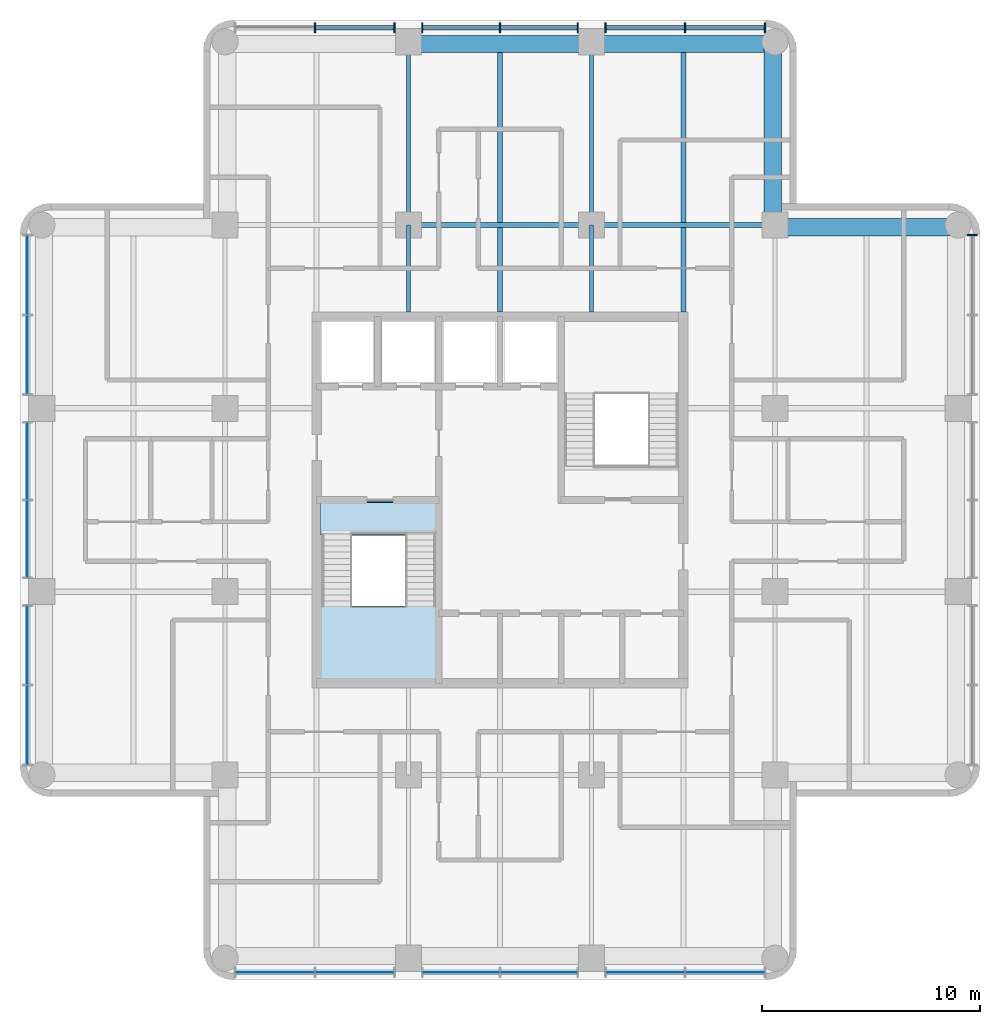
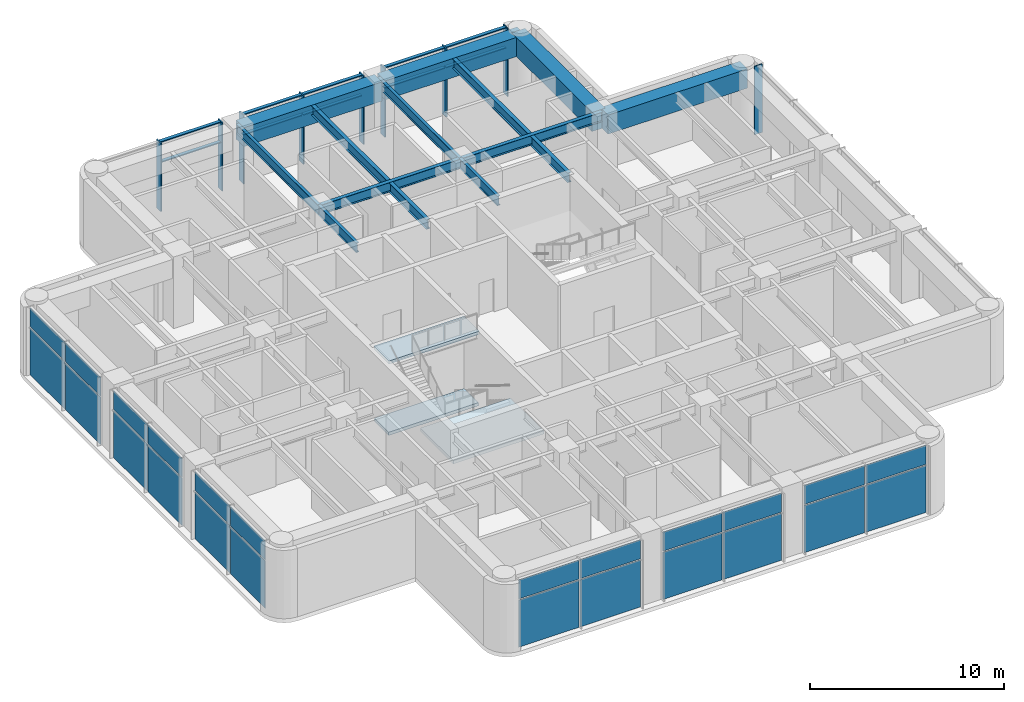
# One storey, part 3 of 8: 24 plates, 19 members, 14 beams, 3 slabs, 5 elements without a shape of their own.
"""IFC4 building model written with IfcOpenShell, lengths in metres."""

from ifc_helpers import new_model, si_unit, direction, frame, origin, origin_2d, place, context, subcontext, project, spatial, polyline, rectangle, i_section, outline, extrude, material, layer, layer_set, material_profile, profile_set, type_object, element, aggregate, save


model = new_model("IFC4")

# Units and contexts
model_context = context("Model", 3, precision=1e-05, world=origin(), true_north=direction((0.0, 1.0)))
body_context = subcontext(model_context, "Body", "Model", "MODEL_VIEW")
ifc_project = project(units=[si_unit("LENGTHUNIT", "METRE"), si_unit("AREAUNIT", "SQUARE_METRE"), si_unit("VOLUMEUNIT", "CUBIC_METRE"), si_unit("PLANEANGLEUNIT", "RADIAN"), si_unit("MASSUNIT", "GRAM", prefix="KILO")], contexts=[model_context])

# Site, building, storey
site_placement = place(None, origin())
site = spatial("IfcSite", under=ifc_project, at=site_placement, CompositionType="ELEMENT")
building_placement = place(site_placement, origin())
building = spatial("IfcBuilding", under=site, at=building_placement, Name="Torre Alcanfor", CompositionType="ELEMENT")
storey_placement = place(building_placement, frame((0.0, 0.0, 305.39990234375)))
storey = spatial("IfcBuildingStorey", under=building, at=storey_placement, Name="L80", CompositionType="ELEMENT", Elevation=305.39990234375)

# Curtain wall, member
ifc_material_1 = material(Name="Aluminium and glass", Category="aluminium")
curtain_wall_type = type_object("IfcCurtainWallType", Name="CW-E crown screen", PredefinedType="NOTDEFINED", material=ifc_material_1)
curtain_wall_1_placement = place(storey_placement, origin())
curtain_wall_1 = element("IfcCurtainWall", 1, at=curtain_wall_1_placement, inside=storey, type_object=curtain_wall_type, Name="Curtain wall CW-E L80 8", PredefinedType="NOTDEFINED")
ifc_material_2 = material(Name="Bronze anodised aluminium", Category="aluminium")
ifc_material_profile_1 = material_profile(ifc_material_2, rectangle(XDim=0.449951171875, YDim=0.06494140625, at=origin_2d()), Name="CW-E mullion 65x450")
ifc_profile_set_1 = profile_set([ifc_material_profile_1], Name="Bronze anodised aluminium")
member_type_1 = type_object("IfcMemberType", Name="CW-E mullion with vertical FIN 65x450", PredefinedType="MULLION", material=ifc_profile_set_1)
member_1_placement = place(storey_placement, frame((51.050048828125, 41.537109375, 0.0), z_axis=(0.0, 0.0, 1.0), x_axis=(-1.0, 0.0, 0.0)))
member_1 = element("IfcMember", 2, at=member_1_placement, type_object=member_type_1, Name="CW-E mullion 3.3", PredefinedType="MULLION", context=body_context, shape_type="SweptSolid", body=[
    extrude(rectangle(XDim=0.449951171875, YDim=0.06494140625, at=origin_2d()), origin(), (0.0, 0.0, 1.0), 4.300048828125),
])
aggregate(curtain_wall_1, [member_1])

# Curtain wall, members
curtain_wall_2_placement = place(storey_placement, origin())
curtain_wall_2 = element("IfcCurtainWall", 3, at=curtain_wall_2_placement, inside=storey, type_object=curtain_wall_type, Name="Curtain wall CW-E L80 11", PredefinedType="NOTDEFINED")
member_2_placement = place(storey_placement, frame((41.537109375, 51.050048828125, 0.0), z_axis=(0.0, 0.0, 1.0), x_axis=(0.0, -1.0, 0.0)))
member_2 = element("IfcMember", 4, at=member_2_placement, type_object=member_type_1, Name="CW-E mullion 1.1", PredefinedType="MULLION", context=body_context, shape_type="SweptSolid", body=[
    extrude(rectangle(XDim=0.449951171875, YDim=0.06494140625, at=origin_2d()), origin(), (0.0, 0.0, 1.0), 4.300048828125),
])
member_3_placement = place(storey_placement, frame((37.88720703125, 51.050048828125, 0.0), z_axis=(0.0, 0.0, 1.0), x_axis=(0.0, -1.0, 0.0)))
member_3 = element("IfcMember", 5, at=member_3_placement, type_object=member_type_1, Name="CW-E mullion 1.2", PredefinedType="MULLION", context=body_context, shape_type="SweptSolid", body=[
    extrude(rectangle(XDim=0.449951171875, YDim=0.06494140625, at=origin_2d()), origin(), (0.0, 0.0, 1.0), 4.300048828125),
])
member_4_placement = place(storey_placement, frame((34.237548828125, 51.050048828125, 0.0), z_axis=(0.0, 0.0, 1.0), x_axis=(0.0, -1.0, 0.0)))
member_4 = element("IfcMember", 6, at=member_4_placement, type_object=member_type_1, Name="CW-E mullion 1.3", PredefinedType="MULLION", context=body_context, shape_type="SweptSolid", body=[
    extrude(rectangle(XDim=0.449951171875, YDim=0.06494140625, at=origin_2d()), origin(), (0.0, 0.0, 1.0), 4.300048828125),
])
member_5_placement = place(storey_placement, frame((32.96240234375, 51.050048828125, 0.0), z_axis=(0.0, 0.0, 1.0), x_axis=(0.0, -1.0, 0.0)))
member_5 = element("IfcMember", 7, at=member_5_placement, type_object=member_type_1, Name="CW-E mullion 2.1", PredefinedType="MULLION", context=body_context, shape_type="SweptSolid", body=[
    extrude(rectangle(XDim=0.449951171875, YDim=0.06494140625, at=origin_2d()), origin(), (0.0, 0.0, 1.0), 4.300048828125),
])
member_6_placement = place(storey_placement, frame((29.39990234375, 51.050048828125, 0.0), z_axis=(0.0, 0.0, 1.0), x_axis=(0.0, -1.0, 0.0)))
member_6 = element("IfcMember", 8, at=member_6_placement, type_object=member_type_1, Name="CW-E mullion 2.2", PredefinedType="MULLION", context=body_context, shape_type="SweptSolid", body=[
    extrude(rectangle(XDim=0.449951171875, YDim=0.06494140625, at=origin_2d()), origin(), (0.0, 0.0, 1.0), 4.300048828125),
])
member_7_placement = place(storey_placement, frame((25.83740234375, 51.050048828125, 0.0), z_axis=(0.0, 0.0, 1.0), x_axis=(0.0, -1.0, 0.0)))
member_7 = element("IfcMember", 9, at=member_7_placement, type_object=member_type_1, Name="CW-E mullion 2.3", PredefinedType="MULLION", context=body_context, shape_type="SweptSolid", body=[
    extrude(rectangle(XDim=0.449951171875, YDim=0.06494140625, at=origin_2d()), origin(), (0.0, 0.0, 1.0), 4.300048828125),
])
member_8_placement = place(storey_placement, frame((24.5625, 51.050048828125, 0.0), z_axis=(0.0, 0.0, 1.0), x_axis=(0.0, -1.0, 0.0)))
member_8 = element("IfcMember", 10, at=member_8_placement, type_object=member_type_1, Name="CW-E mullion 3.1", PredefinedType="MULLION", context=body_context, shape_type="SweptSolid", body=[
    extrude(rectangle(XDim=0.449951171875, YDim=0.06494140625, at=origin_2d()), origin(), (0.0, 0.0, 1.0), 4.300048828125),
])
member_9_placement = place(storey_placement, frame((20.912841796875, 51.050048828125, 0.0), z_axis=(0.0, 0.0, 1.0), x_axis=(0.0, -1.0, 0.0)))
member_9 = element("IfcMember", 11, at=member_9_placement, type_object=member_type_1, Name="CW-E mullion 3.2", PredefinedType="MULLION", context=body_context, shape_type="SweptSolid", body=[
    extrude(rectangle(XDim=0.449951171875, YDim=0.06494140625, at=origin_2d()), origin(), (0.0, 0.0, 1.0), 4.300048828125),
])
ifc_material_3 = material(Name="Extruded aluminium", Category="aluminium")
ifc_material_profile_2 = material_profile(ifc_material_3, rectangle(XDim=0.199951171875, YDim=0.06494140625, at=origin_2d()), Name="CW-E transom 200x65")
ifc_profile_set_2 = profile_set([ifc_material_profile_2], Name="Extruded aluminium")
member_type_2 = type_object("IfcMemberType", Name="CW-E transom 65x200", PredefinedType="USERDEFINED", material=ifc_profile_set_2)
member_10_placement = place(storey_placement, frame((41.50439453125, 51.050048828125, 3.0), z_axis=(-1.0, 0.0, 0.0), x_axis=(0.0, -1.0, 0.0)))
member_10 = element("IfcMember", 12, at=member_10_placement, type_object=member_type_2, Name="CW-E transom 1.1.2", ObjectType="TRANSOM", PredefinedType="USERDEFINED", context=body_context, shape_type="SweptSolid", body=[
    extrude(rectangle(XDim=0.199951171875, YDim=0.06494140625, at=origin_2d()), origin(), (0.0, 0.0, 1.0), 3.584716796875),
])
member_11_placement = place(storey_placement, frame((41.50439453125, 51.050048828125, 4.267578125), z_axis=(-1.0, 0.0, 0.0), x_axis=(0.0, -1.0, 0.0)))
member_11 = element("IfcMember", 13, at=member_11_placement, type_object=member_type_2, Name="CW-E transom 1.1.3", ObjectType="TRANSOM", PredefinedType="USERDEFINED", context=body_context, shape_type="SweptSolid", body=[
    extrude(rectangle(XDim=0.199951171875, YDim=0.06494140625, at=origin_2d()), origin(), (0.0, 0.0, 1.0), 3.584716796875),
])
member_12_placement = place(storey_placement, frame((37.854736328125, 51.050048828125, 3.0), z_axis=(-1.0, 0.0, 0.0), x_axis=(0.0, -1.0, 0.0)))
member_12 = element("IfcMember", 14, at=member_12_placement, type_object=member_type_2, Name="CW-E transom 1.2.2", ObjectType="TRANSOM", PredefinedType="USERDEFINED", context=body_context, shape_type="SweptSolid", body=[
    extrude(rectangle(XDim=0.199951171875, YDim=0.06494140625, at=origin_2d()), origin(), (0.0, 0.0, 1.0), 3.584716796875),
])
member_13_placement = place(storey_placement, frame((37.854736328125, 51.050048828125, 4.267578125), z_axis=(-1.0, 0.0, 0.0), x_axis=(0.0, -1.0, 0.0)))
member_13 = element("IfcMember", 15, at=member_13_placement, type_object=member_type_2, Name="CW-E transom 1.2.3", ObjectType="TRANSOM", PredefinedType="USERDEFINED", context=body_context, shape_type="SweptSolid", body=[
    extrude(rectangle(XDim=0.199951171875, YDim=0.06494140625, at=origin_2d()), origin(), (0.0, 0.0, 1.0), 3.584716796875),
])
member_14_placement = place(storey_placement, frame((32.929931640625, 51.050048828125, 3.0), z_axis=(-1.0, 0.0, 0.0), x_axis=(0.0, -1.0, 0.0)))
member_14 = element("IfcMember", 16, at=member_14_placement, type_object=member_type_2, Name="CW-E transom 2.1.2", ObjectType="TRANSOM", PredefinedType="USERDEFINED", context=body_context, shape_type="SweptSolid", body=[
    extrude(rectangle(XDim=0.199951171875, YDim=0.06494140625, at=origin_2d()), origin(), (0.0, 0.0, 1.0), 3.497314453125),
])
member_15_placement = place(storey_placement, frame((32.929931640625, 51.050048828125, 4.267578125), z_axis=(-1.0, 0.0, 0.0), x_axis=(0.0, -1.0, 0.0)))
member_15 = element("IfcMember", 17, at=member_15_placement, type_object=member_type_2, Name="CW-E transom 2.1.3", ObjectType="TRANSOM", PredefinedType="USERDEFINED", context=body_context, shape_type="SweptSolid", body=[
    extrude(rectangle(XDim=0.199951171875, YDim=0.06494140625, at=origin_2d()), origin(), (0.0, 0.0, 1.0), 3.497314453125),
])
member_16_placement = place(storey_placement, frame((29.367431640625, 51.050048828125, 3.0), z_axis=(-1.0, 0.0, 0.0), x_axis=(0.0, -1.0, 0.0)))
member_16 = element("IfcMember", 18, at=member_16_placement, type_object=member_type_2, Name="CW-E transom 2.2.2", ObjectType="TRANSOM", PredefinedType="USERDEFINED", context=body_context, shape_type="SweptSolid", body=[
    extrude(rectangle(XDim=0.199951171875, YDim=0.06494140625, at=origin_2d()), origin(), (0.0, 0.0, 1.0), 3.497314453125),
])
member_17_placement = place(storey_placement, frame((29.367431640625, 51.050048828125, 4.267578125), z_axis=(-1.0, 0.0, 0.0), x_axis=(0.0, -1.0, 0.0)))
member_17 = element("IfcMember", 19, at=member_17_placement, type_object=member_type_2, Name="CW-E transom 2.2.3", ObjectType="TRANSOM", PredefinedType="USERDEFINED", context=body_context, shape_type="SweptSolid", body=[
    extrude(rectangle(XDim=0.199951171875, YDim=0.06494140625, at=origin_2d()), origin(), (0.0, 0.0, 1.0), 3.497314453125),
])
member_18_placement = place(storey_placement, frame((24.530029296875, 51.050048828125, 3.0), z_axis=(-1.0, 0.0, 0.0), x_axis=(0.0, -1.0, 0.0)))
member_18 = element("IfcMember", 20, at=member_18_placement, type_object=member_type_2, Name="CW-E transom 3.1.2", ObjectType="TRANSOM", PredefinedType="USERDEFINED", context=body_context, shape_type="SweptSolid", body=[
    extrude(rectangle(XDim=0.199951171875, YDim=0.06494140625, at=origin_2d()), origin(), (0.0, 0.0, 1.0), 3.584716796875),
])
member_19_placement = place(storey_placement, frame((24.530029296875, 51.050048828125, 4.267578125), z_axis=(-1.0, 0.0, 0.0), x_axis=(0.0, -1.0, 0.0)))
member_19 = element("IfcMember", 21, at=member_19_placement, type_object=member_type_2, Name="CW-E transom 3.1.3", ObjectType="TRANSOM", PredefinedType="USERDEFINED", context=body_context, shape_type="SweptSolid", body=[
    extrude(rectangle(XDim=0.199951171875, YDim=0.06494140625, at=origin_2d()), origin(), (0.0, 0.0, 1.0), 3.584716796875),
])
aggregate(curtain_wall_2, [member_2, member_3, member_4, member_10, member_11, member_12, member_13, member_5, member_6, member_7, member_14, member_15, member_16, member_17, member_8, member_9, member_18, member_19])

# Beams
ifc_material_4 = material(Name="Steel ASTM A992 Grade 50", Category="steel")
ifc_material_profile_3 = material_profile(ifc_material_4, i_section(OverallWidth=0.177978515625, OverallDepth=0.599365234375, WebThickness=0.010009765625, FlangeThickness=0.012939453125, at=origin_2d()), Name="W24x55")
ifc_profile_set_3 = profile_set([ifc_material_profile_3], Name="Steel ASTM A992 Grade 50")
beam_type_1 = type_object("IfcBeamType", Name="Girder W24x55", PredefinedType="BEAM", material=ifc_profile_set_3)
for number, where, z_axis, x_axis, name in (
    (22, (25.199951171875, 42.0, 4.00048828125), (0.0, 1.0, 0.0), (-1.0, 0.0, 0.0), "Beam 4H-4J under RF"),
    (23, (33.60009765625, 42.0, 4.00048828125), (0.0, 1.0, 0.0), (-1.0, 0.0, 0.0), "Beam 5H-5J under RF"),
):
    element("IfcBeam", number, at=place(storey_placement, frame(where, z_axis=z_axis, x_axis=x_axis)), inside=storey, type_object=beam_type_1, Name=name, PredefinedType="BEAM", context=body_context, shape_type="SweptSolid", body=[
        extrude(i_section(OverallWidth=0.177978515625, OverallDepth=0.599365234375, WebThickness=0.010009765625, FlangeThickness=0.012939453125, at=origin_2d()), origin(), (0.0, 0.0, 1.0), 8.39990234375),
    ])
ifc_material_5 = material(Name="Steel ASTM A992 Grade 50", Category="steel")
ifc_material_profile_4 = material_profile(ifc_material_5, i_section(OverallWidth=0.228271484375, OverallDepth=0.607177734375, WebThickness=0.01123046875, FlangeThickness=0.017333984375, at=origin_2d()), Name="W24x76")
ifc_profile_set_4 = profile_set([ifc_material_profile_4], Name="Steel ASTM A992 Grade 50")
beam_type_2 = type_object("IfcBeamType", Name="Girder W24x76", PredefinedType="BEAM", material=ifc_profile_set_4)
beam_1_placement = place(storey_placement, frame((25.199951171875, 42.0, 3.99658203125), z_axis=(1.0, 0.0, 0.0), x_axis=(0.0, 1.0, 0.0)))
element("IfcBeam", 24, at=beam_1_placement, inside=storey, type_object=beam_type_2, Name="Beam 4H-5H under RF", PredefinedType="BEAM", context=body_context, shape_type="SweptSolid", body=[
    extrude(i_section(OverallWidth=0.228271484375, OverallDepth=0.607177734375, WebThickness=0.01123046875, FlangeThickness=0.017333984375, at=origin_2d()), origin(), (0.0, 0.0, 1.0), 8.400146484375),
])
beam_2_placement = place(storey_placement, frame((33.60009765625, 42.0, 3.99658203125), z_axis=(1.0, 0.0, 0.0), x_axis=(0.0, 1.0, 0.0)))
element("IfcBeam", 25, at=beam_2_placement, inside=storey, type_object=beam_type_2, Name="Beam 5H-6H under RF", PredefinedType="BEAM", context=body_context, shape_type="SweptSolid", body=[
    extrude(i_section(OverallWidth=0.228271484375, OverallDepth=0.607177734375, WebThickness=0.01123046875, FlangeThickness=0.017333984375, at=origin_2d()), origin(), (0.0, 0.0, 1.0), 8.39990234375),
])
ifc_material_6 = material(Name="Steel ASTM A992 Grade 50", Category="steel")
ifc_material_profile_5 = material_profile(ifc_material_6, i_section(OverallWidth=0.177978515625, OverallDepth=0.599365234375, WebThickness=0.010009765625, FlangeThickness=0.012939453125, at=origin_2d()), Name="W24x55")
ifc_profile_set_5 = profile_set([ifc_material_profile_5], Name="Steel ASTM A992 Grade 50")
beam_type_3 = type_object("IfcBeamType", Name="Girder, part bay W24x55", PredefinedType="BEAM", material=ifc_profile_set_5)
for number, where, z_axis, x_axis, name in (
    (26, (25.199951171875, 42.0, 4.00048828125), (0.0, -1.0, 0.0), (1.0, 0.0, 0.0), "Beam 4H-438_025 under RF"),
    (27, (33.60009765625, 42.0, 4.00048828125), (0.0, -1.0, 0.0), (1.0, 0.0, 0.0), "Beam 5H-538_025 under RF"),
):
    element("IfcBeam", number, at=place(storey_placement, frame(where, z_axis=z_axis, x_axis=x_axis)), inside=storey, type_object=beam_type_3, Name=name, PredefinedType="BEAM", context=body_context, shape_type="SweptSolid", body=[
        extrude(i_section(OverallWidth=0.177978515625, OverallDepth=0.599365234375, WebThickness=0.010009765625, FlangeThickness=0.012939453125, at=origin_2d()), origin(), (0.0, 0.0, 1.0), 3.97509765625),
    ])
ifc_material_7 = material(Name="Concrete f'c 70 MPa", Category="concrete")
ifc_material_profile_6 = material_profile(ifc_material_7, rectangle(XDim=0.800048828125, YDim=1.199951171875, at=origin_2d()), Name="800x1200")
ifc_profile_set_6 = profile_set([ifc_material_profile_6], Name="Concrete f'c 70 MPa")
beam_type_4 = type_object("IfcBeamType", Name="RC perimeter beam 800x1200", PredefinedType="BEAM", material=ifc_profile_set_6)
beam_3_placement = place(storey_placement, frame((42.089111328125, 41.89990234375, 3.7001953125), z_axis=(1.0, 0.0, 0.0), x_axis=(0.0, 1.0, 0.0)))
element("IfcBeam", 28, at=beam_3_placement, inside=storey, type_object=beam_type_4, Name="Beam 6H-7H under RF", PredefinedType="BEAM", context=body_context, shape_type="SweptSolid", body=[
    extrude(rectangle(XDim=0.800048828125, YDim=1.199951171875, at=origin_2d()), origin(), (0.0, 0.0, 1.0), 8.310791015625),
])
beam_4_placement = place(storey_placement, frame((25.2890625, 50.300048828125, 3.7001953125), z_axis=(1.0, 0.0, 0.0), x_axis=(0.0, 1.0, 0.0)))
element("IfcBeam", 29, at=beam_4_placement, inside=storey, type_object=beam_type_4, Name="Beam 4J-5J under RF", PredefinedType="BEAM", context=body_context, shape_type="SweptSolid", body=[
    extrude(rectangle(XDim=0.800048828125, YDim=1.199951171875, at=origin_2d()), origin(), (0.0, 0.0, 1.0), 8.221923828125),
])
beam_5_placement = place(storey_placement, frame((33.68896484375, 50.300048828125, 3.7001953125), z_axis=(1.0, 0.0, 0.0), x_axis=(0.0, 1.0, 0.0)))
element("IfcBeam", 30, at=beam_5_placement, inside=storey, type_object=beam_type_4, Name="Beam 5J-6J under RF", PredefinedType="BEAM", context=body_context, shape_type="SweptSolid", body=[
    extrude(rectangle(XDim=0.800048828125, YDim=1.199951171875, at=origin_2d()), origin(), (0.0, 0.0, 1.0), 8.31103515625),
])
beam_6_placement = place(storey_placement, frame((41.89990234375, 42.114013671875, 3.7001953125), z_axis=(0.0, 1.0, 0.0), x_axis=(-1.0, 0.0, 0.0)))
element("IfcBeam", 31, at=beam_6_placement, inside=storey, type_object=beam_type_4, Name="Beam 6H-6J under RF", PredefinedType="BEAM", context=body_context, shape_type="SweptSolid", body=[
    extrude(rectangle(XDim=0.800048828125, YDim=1.199951171875, at=origin_2d()), origin(), (0.0, 0.0, 1.0), 8.285888671875),
])
ifc_material_8 = material(Name="Steel ASTM A992 Grade 50", Category="steel")
ifc_material_profile_7 = material_profile(ifc_material_8, i_section(OverallWidth=0.227783203125, OverallDepth=0.60205078125, WebThickness=0.010498046875, FlangeThickness=0.014892578125, at=origin_2d()), Name="W24x68")
ifc_profile_set_7 = profile_set([ifc_material_profile_7], Name="Steel ASTM A992 Grade 50")
beam_type_5 = type_object("IfcBeamType", Name="Secondary beam W24x68", PredefinedType="BEAM", material=ifc_profile_set_7)
for number, where, z_axis, x_axis, name in (
    (32, (29.39990234375, 42.114013671875, 3.9990234375), (0.0, 1.0, 0.0), (-1.0, 0.0, 0.0), "Beam 29_4H-29_4J under RF"),
    (33, (37.800048828125, 42.114013671875, 3.9990234375), (0.0, 1.0, 0.0), (-1.0, 0.0, 0.0), "Beam 37_8H-37_8J under RF"),
):
    element("IfcBeam", number, at=place(storey_placement, frame(where, z_axis=z_axis, x_axis=x_axis)), inside=storey, type_object=beam_type_5, Name=name, PredefinedType="BEAM", context=body_context, shape_type="SweptSolid", body=[
        extrude(i_section(OverallWidth=0.227783203125, OverallDepth=0.60205078125, WebThickness=0.010498046875, FlangeThickness=0.014892578125, at=origin_2d()), origin(), (0.0, 0.0, 1.0), 7.785888671875),
    ])
ifc_material_9 = material(Name="Steel ASTM A992 Grade 50", Category="steel")
ifc_material_profile_8 = material_profile(ifc_material_9, i_section(OverallWidth=0.227783203125, OverallDepth=0.60205078125, WebThickness=0.010498046875, FlangeThickness=0.014892578125, at=origin_2d()), Name="W24x68")
ifc_profile_set_8 = profile_set([ifc_material_profile_8], Name="Steel ASTM A992 Grade 50")
beam_type_6 = type_object("IfcBeamType", Name="Secondary beam, part bay W24x68", PredefinedType="BEAM", material=ifc_profile_set_8)
for number, where, z_axis, x_axis, name in (
    (34, (29.39990234375, 38.02490234375, 3.9990234375), (0.0, 1.0, 0.0), (-1.0, 0.0, 0.0), "Beam 29_438_025-29_4H under RF"),
    (35, (37.800048828125, 38.02490234375, 3.9990234375), (0.0, 1.0, 0.0), (-1.0, 0.0, 0.0), "Beam 37_838_025-37_8H under RF"),
):
    element("IfcBeam", number, at=place(storey_placement, frame(where, z_axis=z_axis, x_axis=x_axis)), inside=storey, type_object=beam_type_6, Name=name, PredefinedType="BEAM", context=body_context, shape_type="SweptSolid", body=[
        extrude(i_section(OverallWidth=0.227783203125, OverallDepth=0.60205078125, WebThickness=0.010498046875, FlangeThickness=0.014892578125, at=origin_2d()), origin(), (0.0, 0.0, 1.0), 3.861083984375),
    ])

# Curtain wall, plates
curtain_wall_3_placement = place(storey_placement, origin())
curtain_wall_3 = element("IfcCurtainWall", 36, at=curtain_wall_3_placement, inside=storey, type_object=curtain_wall_type, Name="Curtain wall CW-E L80 2", PredefinedType="NOTDEFINED")
ifc_material_10 = material(Name="Limestone-colour fritted glass", Category="masonry")
ifc_layer_1 = layer(ifc_material_10, 0.028076171875)
ifc_layer_set_1 = layer_set([ifc_layer_1], Name="CW-E fritted glass panel")
plate_type = type_object("IfcPlateType", Name="CW-E fritted glass panel", PredefinedType="CURTAIN_PANEL", material=ifc_layer_set_1)
plate_1_placement = place(storey_placement, frame((7.75, 39.712158203125, 0.0), z_axis=(0.0, 0.0, 1.0), x_axis=(0.0, -1.0, 0.0)))
plate_1 = element("IfcPlate", 37, at=plate_1_placement, type_object=plate_type, Name="CW-E panel 1.1.1", PredefinedType="CURTAIN_PANEL", context=body_context, shape_type="SweptSolid", body=[
    extrude(rectangle(XDim=3.584716796875, YDim=0.028076171875, at=origin_2d()), origin(), (0.0, 0.0, 1.0), 2.967529296875),
])
plate_2_placement = place(storey_placement, frame((7.75, 39.712158203125, 3.03271484375), z_axis=(0.0, 0.0, 1.0), x_axis=(0.0, -1.0, 0.0)))
plate_2 = element("IfcPlate", 38, at=plate_2_placement, type_object=plate_type, Name="CW-E panel 1.1.2", PredefinedType="CURTAIN_PANEL", context=body_context, shape_type="SweptSolid", body=[
    extrude(rectangle(XDim=3.584716796875, YDim=0.028076171875, at=origin_2d()), origin(), (0.0, 0.0, 1.0), 1.202392578125),
])
plate_3_placement = place(storey_placement, frame((7.75, 36.062255859375, 0.0), z_axis=(0.0, 0.0, 1.0), x_axis=(0.0, -1.0, 0.0)))
plate_3 = element("IfcPlate", 39, at=plate_3_placement, type_object=plate_type, Name="CW-E panel 1.2.1", PredefinedType="CURTAIN_PANEL", context=body_context, shape_type="SweptSolid", body=[
    extrude(rectangle(XDim=3.584716796875, YDim=0.028076171875, at=origin_2d()), origin(), (0.0, 0.0, 1.0), 2.967529296875),
])
plate_4_placement = place(storey_placement, frame((7.75, 36.062255859375, 3.03271484375), z_axis=(0.0, 0.0, 1.0), x_axis=(0.0, -1.0, 0.0)))
plate_4 = element("IfcPlate", 40, at=plate_4_placement, type_object=plate_type, Name="CW-E panel 1.2.2", PredefinedType="CURTAIN_PANEL", context=body_context, shape_type="SweptSolid", body=[
    extrude(rectangle(XDim=3.584716796875, YDim=0.028076171875, at=origin_2d()), origin(), (0.0, 0.0, 1.0), 1.202392578125),
])
plate_5_placement = place(storey_placement, frame((7.75, 31.18115234375, 0.0), z_axis=(0.0, 0.0, 1.0), x_axis=(0.0, -1.0, 0.0)))
plate_5 = element("IfcPlate", 41, at=plate_5_placement, type_object=plate_type, Name="CW-E panel 2.1.1", PredefinedType="CURTAIN_PANEL", context=body_context, shape_type="SweptSolid", body=[
    extrude(rectangle(XDim=3.49755859375, YDim=0.028076171875, at=origin_2d()), origin(), (0.0, 0.0, 1.0), 2.967529296875),
])
plate_6_placement = place(storey_placement, frame((7.75, 31.18115234375, 3.03271484375), z_axis=(0.0, 0.0, 1.0), x_axis=(0.0, -1.0, 0.0)))
plate_6 = element("IfcPlate", 42, at=plate_6_placement, type_object=plate_type, Name="CW-E panel 2.1.2", PredefinedType="CURTAIN_PANEL", context=body_context, shape_type="SweptSolid", body=[
    extrude(rectangle(XDim=3.49755859375, YDim=0.028076171875, at=origin_2d()), origin(), (0.0, 0.0, 1.0), 1.202392578125),
])
plate_7_placement = place(storey_placement, frame((7.75, 27.61865234375, 0.0), z_axis=(0.0, 0.0, 1.0), x_axis=(0.0, -1.0, 0.0)))
plate_7 = element("IfcPlate", 43, at=plate_7_placement, type_object=plate_type, Name="CW-E panel 2.2.1", PredefinedType="CURTAIN_PANEL", context=body_context, shape_type="SweptSolid", body=[
    extrude(rectangle(XDim=3.49755859375, YDim=0.028076171875, at=origin_2d()), origin(), (0.0, 0.0, 1.0), 2.967529296875),
])
plate_8_placement = place(storey_placement, frame((7.75, 27.61865234375, 3.03271484375), z_axis=(0.0, 0.0, 1.0), x_axis=(0.0, -1.0, 0.0)))
plate_8 = element("IfcPlate", 44, at=plate_8_placement, type_object=plate_type, Name="CW-E panel 2.2.2", PredefinedType="CURTAIN_PANEL", context=body_context, shape_type="SweptSolid", body=[
    extrude(rectangle(XDim=3.49755859375, YDim=0.028076171875, at=origin_2d()), origin(), (0.0, 0.0, 1.0), 1.202392578125),
])
plate_9_placement = place(storey_placement, frame((7.75, 22.737548828125, 0.0), z_axis=(0.0, 0.0, 1.0), x_axis=(0.0, -1.0, 0.0)))
plate_9 = element("IfcPlate", 45, at=plate_9_placement, type_object=plate_type, Name="CW-E panel 3.1.1", PredefinedType="CURTAIN_PANEL", context=body_context, shape_type="SweptSolid", body=[
    extrude(rectangle(XDim=3.584716796875, YDim=0.028076171875, at=origin_2d()), origin(), (0.0, 0.0, 1.0), 2.967529296875),
])
plate_10_placement = place(storey_placement, frame((7.75, 22.737548828125, 3.03271484375), z_axis=(0.0, 0.0, 1.0), x_axis=(0.0, -1.0, 0.0)))
plate_10 = element("IfcPlate", 46, at=plate_10_placement, type_object=plate_type, Name="CW-E panel 3.1.2", PredefinedType="CURTAIN_PANEL", context=body_context, shape_type="SweptSolid", body=[
    extrude(rectangle(XDim=3.584716796875, YDim=0.028076171875, at=origin_2d()), origin(), (0.0, 0.0, 1.0), 1.202392578125),
])
plate_11_placement = place(storey_placement, frame((7.75, 19.087890625, 0.0), z_axis=(0.0, 0.0, 1.0), x_axis=(0.0, -1.0, 0.0)))
plate_11 = element("IfcPlate", 47, at=plate_11_placement, type_object=plate_type, Name="CW-E panel 3.2.1", PredefinedType="CURTAIN_PANEL", context=body_context, shape_type="SweptSolid", body=[
    extrude(rectangle(XDim=3.584716796875, YDim=0.028076171875, at=origin_2d()), origin(), (0.0, 0.0, 1.0), 2.967529296875),
])
plate_12_placement = place(storey_placement, frame((7.75, 19.087890625, 3.03271484375), z_axis=(0.0, 0.0, 1.0), x_axis=(0.0, -1.0, 0.0)))
plate_12 = element("IfcPlate", 48, at=plate_12_placement, type_object=plate_type, Name="CW-E panel 3.2.2", PredefinedType="CURTAIN_PANEL", context=body_context, shape_type="SweptSolid", body=[
    extrude(rectangle(XDim=3.584716796875, YDim=0.028076171875, at=origin_2d()), origin(), (0.0, 0.0, 1.0), 1.202392578125),
])
aggregate(curtain_wall_3, [plate_1, plate_2, plate_3, plate_4, plate_5, plate_6, plate_7, plate_8, plate_9, plate_10, plate_11, plate_12])

curtain_wall_4_placement = place(storey_placement, origin())
curtain_wall_4 = element("IfcCurtainWall", 49, at=curtain_wall_4_placement, inside=storey, type_object=curtain_wall_type, Name="Curtain wall CW-E L80 5", PredefinedType="NOTDEFINED")
plate_13_placement = place(storey_placement, frame((19.087890625, 7.75, 0.0), z_axis=(0.0, 0.0, 1.0), x_axis=(1.0, 0.0, 0.0)))
plate_13 = element("IfcPlate", 50, at=plate_13_placement, type_object=plate_type, Name="CW-E panel 1.1.1", PredefinedType="CURTAIN_PANEL", context=body_context, shape_type="SweptSolid", body=[
    extrude(rectangle(XDim=3.584716796875, YDim=0.028076171875, at=origin_2d()), origin(), (0.0, 0.0, 1.0), 2.967529296875),
])
plate_14_placement = place(storey_placement, frame((19.087890625, 7.75, 3.03271484375), z_axis=(0.0, 0.0, 1.0), x_axis=(1.0, 0.0, 0.0)))
plate_14 = element("IfcPlate", 51, at=plate_14_placement, type_object=plate_type, Name="CW-E panel 1.1.2", PredefinedType="CURTAIN_PANEL", context=body_context, shape_type="SweptSolid", body=[
    extrude(rectangle(XDim=3.584716796875, YDim=0.028076171875, at=origin_2d()), origin(), (0.0, 0.0, 1.0), 1.202392578125),
])
plate_15_placement = place(storey_placement, frame((22.737548828125, 7.75, 0.0), z_axis=(0.0, 0.0, 1.0), x_axis=(1.0, 0.0, 0.0)))
plate_15 = element("IfcPlate", 52, at=plate_15_placement, type_object=plate_type, Name="CW-E panel 1.2.1", PredefinedType="CURTAIN_PANEL", context=body_context, shape_type="SweptSolid", body=[
    extrude(rectangle(XDim=3.584716796875, YDim=0.028076171875, at=origin_2d()), origin(), (0.0, 0.0, 1.0), 2.967529296875),
])
plate_16_placement = place(storey_placement, frame((22.737548828125, 7.75, 3.03271484375), z_axis=(0.0, 0.0, 1.0), x_axis=(1.0, 0.0, 0.0)))
plate_16 = element("IfcPlate", 53, at=plate_16_placement, type_object=plate_type, Name="CW-E panel 1.2.2", PredefinedType="CURTAIN_PANEL", context=body_context, shape_type="SweptSolid", body=[
    extrude(rectangle(XDim=3.584716796875, YDim=0.028076171875, at=origin_2d()), origin(), (0.0, 0.0, 1.0), 1.202392578125),
])
plate_17_placement = place(storey_placement, frame((27.61865234375, 7.75, 0.0), z_axis=(0.0, 0.0, 1.0), x_axis=(1.0, 0.0, 0.0)))
plate_17 = element("IfcPlate", 54, at=plate_17_placement, type_object=plate_type, Name="CW-E panel 2.1.1", PredefinedType="CURTAIN_PANEL", context=body_context, shape_type="SweptSolid", body=[
    extrude(rectangle(XDim=3.49755859375, YDim=0.028076171875, at=origin_2d()), origin(), (0.0, 0.0, 1.0), 2.967529296875),
])
plate_18_placement = place(storey_placement, frame((27.61865234375, 7.75, 3.03271484375), z_axis=(0.0, 0.0, 1.0), x_axis=(1.0, 0.0, 0.0)))
plate_18 = element("IfcPlate", 55, at=plate_18_placement, type_object=plate_type, Name="CW-E panel 2.1.2", PredefinedType="CURTAIN_PANEL", context=body_context, shape_type="SweptSolid", body=[
    extrude(rectangle(XDim=3.49755859375, YDim=0.028076171875, at=origin_2d()), origin(), (0.0, 0.0, 1.0), 1.202392578125),
])
plate_19_placement = place(storey_placement, frame((31.18115234375, 7.75, 0.0), z_axis=(0.0, 0.0, 1.0), x_axis=(1.0, 0.0, 0.0)))
plate_19 = element("IfcPlate", 56, at=plate_19_placement, type_object=plate_type, Name="CW-E panel 2.2.1", PredefinedType="CURTAIN_PANEL", context=body_context, shape_type="SweptSolid", body=[
    extrude(rectangle(XDim=3.49755859375, YDim=0.028076171875, at=origin_2d()), origin(), (0.0, 0.0, 1.0), 2.967529296875),
])
plate_20_placement = place(storey_placement, frame((31.18115234375, 7.75, 3.03271484375), z_axis=(0.0, 0.0, 1.0), x_axis=(1.0, 0.0, 0.0)))
plate_20 = element("IfcPlate", 57, at=plate_20_placement, type_object=plate_type, Name="CW-E panel 2.2.2", PredefinedType="CURTAIN_PANEL", context=body_context, shape_type="SweptSolid", body=[
    extrude(rectangle(XDim=3.49755859375, YDim=0.028076171875, at=origin_2d()), origin(), (0.0, 0.0, 1.0), 1.202392578125),
])
plate_21_placement = place(storey_placement, frame((36.062255859375, 7.75, 0.0), z_axis=(0.0, 0.0, 1.0), x_axis=(1.0, 0.0, 0.0)))
plate_21 = element("IfcPlate", 58, at=plate_21_placement, type_object=plate_type, Name="CW-E panel 3.1.1", PredefinedType="CURTAIN_PANEL", context=body_context, shape_type="SweptSolid", body=[
    extrude(rectangle(XDim=3.584716796875, YDim=0.028076171875, at=origin_2d()), origin(), (0.0, 0.0, 1.0), 2.967529296875),
])
plate_22_placement = place(storey_placement, frame((36.062255859375, 7.75, 3.03271484375), z_axis=(0.0, 0.0, 1.0), x_axis=(1.0, 0.0, 0.0)))
plate_22 = element("IfcPlate", 59, at=plate_22_placement, type_object=plate_type, Name="CW-E panel 3.1.2", PredefinedType="CURTAIN_PANEL", context=body_context, shape_type="SweptSolid", body=[
    extrude(rectangle(XDim=3.584716796875, YDim=0.028076171875, at=origin_2d()), origin(), (0.0, 0.0, 1.0), 1.202392578125),
])
plate_23_placement = place(storey_placement, frame((39.712158203125, 7.75, 0.0), z_axis=(0.0, 0.0, 1.0), x_axis=(1.0, 0.0, 0.0)))
plate_23 = element("IfcPlate", 60, at=plate_23_placement, type_object=plate_type, Name="CW-E panel 3.2.1", PredefinedType="CURTAIN_PANEL", context=body_context, shape_type="SweptSolid", body=[
    extrude(rectangle(XDim=3.584716796875, YDim=0.028076171875, at=origin_2d()), origin(), (0.0, 0.0, 1.0), 2.967529296875),
])
plate_24_placement = place(storey_placement, frame((39.712158203125, 7.75, 3.03271484375), z_axis=(0.0, 0.0, 1.0), x_axis=(1.0, 0.0, 0.0)))
plate_24 = element("IfcPlate", 61, at=plate_24_placement, type_object=plate_type, Name="CW-E panel 3.2.2", PredefinedType="CURTAIN_PANEL", context=body_context, shape_type="SweptSolid", body=[
    extrude(rectangle(XDim=3.584716796875, YDim=0.028076171875, at=origin_2d()), origin(), (0.0, 0.0, 1.0), 1.202392578125),
])
aggregate(curtain_wall_4, [plate_13, plate_14, plate_15, plate_16, plate_17, plate_18, plate_19, plate_20, plate_21, plate_22, plate_23, plate_24])

# Stair, slabs
ifc_material_11 = material(Name="Concrete f'c 35 MPa", Category="concrete")
stair_type = type_object("IfcStairType", Name="Exit stair S1 1400 wide", PredefinedType="HALF_TURN_STAIR", material=ifc_material_11)
stair_placement = place(storey_placement, origin())
stair = element("IfcStair", 62, at=stair_placement, inside=storey, type_object=stair_type, Name="Stair S1 L80 to RF", PredefinedType="HALF_TURN_STAIR")
ifc_material_12 = material(Name="Concrete f'c 35 MPa", Category="concrete")
ifc_layer_2 = layer(ifc_material_12, 0.199951171875)
ifc_layer_set_2 = layer_set([ifc_layer_2], Name="Stair landing 200")
slab_type = type_object("IfcSlabType", Name="Stair landing 200", PredefinedType="LANDING", material=ifc_layer_set_2)
slab_1_placement = place(storey_placement, frame((0.0, 0.0, -0.199951171875)))
slab_1 = element("IfcSlab", 63, at=slab_1_placement, type_object=slab_type, Name="S1 landing 1", PredefinedType="LANDING", context=body_context, shape_type="SweptSolid", body=[
    extrude(outline(polyline([(21.14501953125, 27.800048828125), (26.47998046875, 27.800048828125), (26.47998046875, 29.280029296875), (21.14501953125, 29.280029296875), (21.14501953125, 27.800048828125)])), origin(), (0.0, 0.0, 1.0), 0.199951171875),
])
slab_2_placement = place(storey_placement, frame((0.0, 0.0, 2.050048828125)))
slab_2 = element("IfcSlab", 64, at=slab_2_placement, type_object=slab_type, Name="S1 landing 2", PredefinedType="LANDING", context=body_context, shape_type="SweptSolid", body=[
    extrude(outline(polyline([(21.14501953125, 21.14501953125), (26.530029296875, 21.14501953125), (26.530029296875, 24.5400390625), (21.14501953125, 24.5400390625), (21.14501953125, 21.14501953125)])), origin(), (0.0, 0.0, 1.0), 0.199951171875),
])
slab_3_placement = place(storey_placement, frame((0.0, 0.0, 4.300048828125)))
slab_3 = element("IfcSlab", 65, at=slab_3_placement, type_object=slab_type, Name="S1 landing 3", PredefinedType="LANDING", context=body_context, shape_type="SweptSolid", body=[
    extrude(outline(polyline([(21.14501953125, 27.77001953125), (26.530029296875, 27.77001953125), (26.530029296875, 29.330078125), (21.14501953125, 29.330078125), (21.14501953125, 27.77001953125)])), origin(), (0.0, 0.0, 1.0), 0.199951171875),
])
aggregate(stair, [slab_1, slab_2, slab_3])

save(model, "model.ifc")
